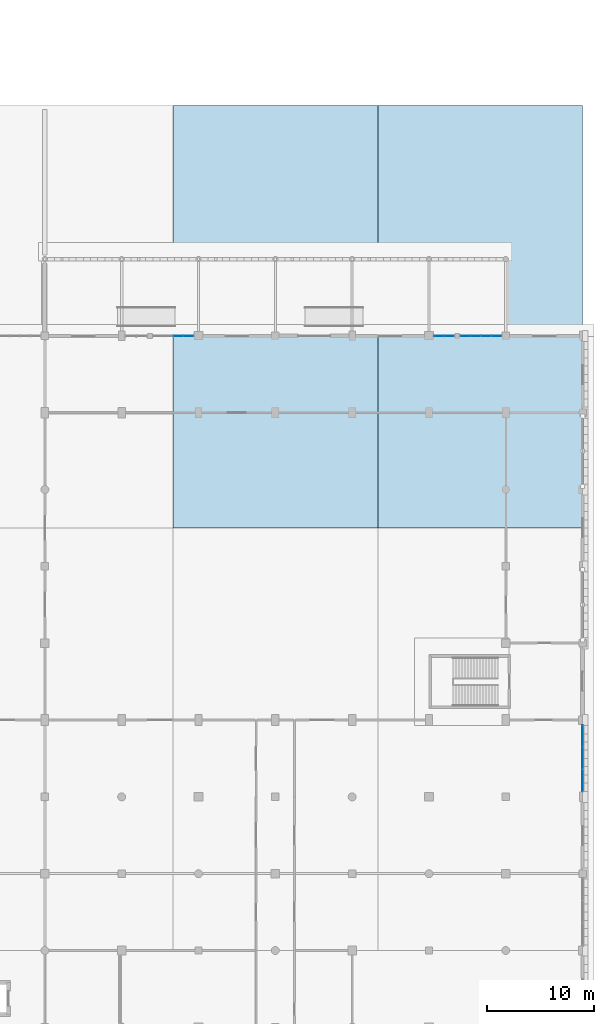
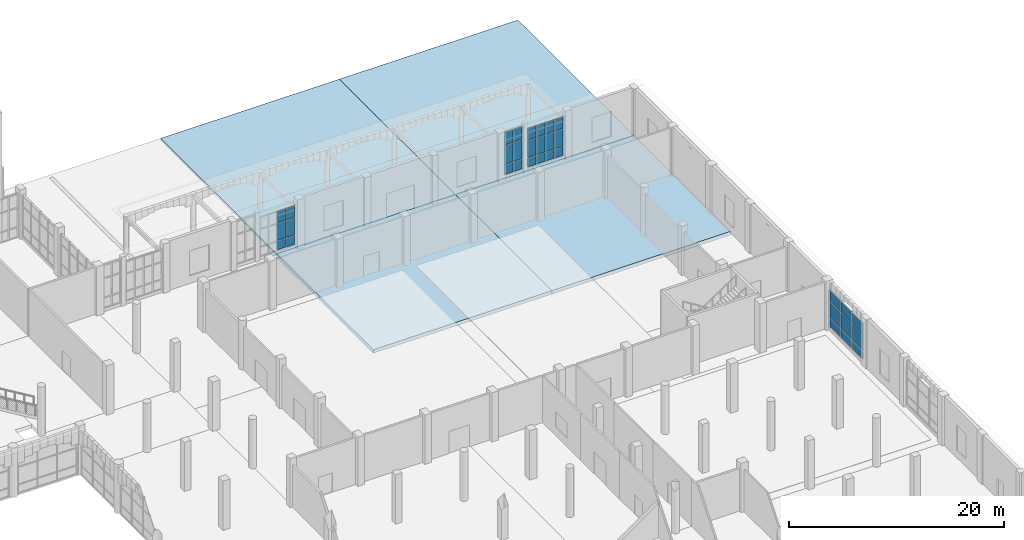
# One storey, part 46 of 85: 33 plates, 4 slabs, 4 elements without a shape of their own.
"""IFC4 building model written with IfcOpenShell, lengths in metres."""

from ifc_helpers import new_model, si_unit, direction, frame, origin, origin_2d, place, context, subcontext, project, spatial, polyline, rectangle, outline, extrude, material, layer, layer_set, type_object, element, aggregate, save


model = new_model("IFC4")

# Units and contexts
model_context = context("Model", 3, precision=1e-05, world=origin(), true_north=direction((0.0, 1.0)))
body_context = subcontext(model_context, "Body", "Model", "MODEL_VIEW")
ifc_project = project(units=[si_unit("LENGTHUNIT", "METRE"), si_unit("AREAUNIT", "SQUARE_METRE"), si_unit("VOLUMEUNIT", "CUBIC_METRE"), si_unit("PLANEANGLEUNIT", "RADIAN"), si_unit("MASSUNIT", "GRAM", prefix="KILO")], contexts=[model_context])

# Site, building, storey
site_placement = place(None, origin())
site = spatial("IfcSite", under=ifc_project, at=site_placement, CompositionType="ELEMENT")
building_placement = place(site_placement, origin())
building = spatial("IfcBuilding", under=site, at=building_placement, Name="Sardonyx Promenade Sports Hall", CompositionType="ELEMENT")
storey_placement = place(building_placement, origin())
storey = spatial("IfcBuildingStorey", under=building, at=storey_placement, Name="L00", CompositionType="ELEMENT", Elevation=0.0)

# Curtain wall, plates
ifc_material_1 = material(Name="Aluminium 6063-T6", Category="aluminium")
curtain_wall_type_1 = type_object("IfcCurtainWallType", Name="CW_EastWing_L00", PredefinedType="USERDEFINED", material=ifc_material_1)
curtain_wall_1_placement = place(storey_placement, origin())
curtain_wall_1 = element("IfcCurtainWall", 1, at=curtain_wall_1_placement, inside=storey, type_object=curtain_wall_type_1, Name="Curtain wall CW07 cw:L00:049", ObjectType="CURTAIN WALL", PredefinedType="USERDEFINED")
ifc_material_2 = material(Name="Double-glazed solar low-E IGU 28 mm", Category="glass")
ifc_layer_1 = layer(ifc_material_2, 0.028076171875)
ifc_layer_set_1 = layer_set([ifc_layer_1], Name="CW_Pan_Glz_28")
plate_type_1 = type_object("IfcPlateType", Name="CW_Pan_Glz_28", PredefinedType="CURTAIN_PANEL", material=ifc_layer_set_1)
plate_1_placement = place(storey_placement, frame((165.60009765625, 48.90673828125, 0.4150390625), z_axis=(0.0, 0.0, 1.0), x_axis=(0.0, -1.0, 0.0)))
plate_1 = element("IfcPlate", 2, at=plate_1_placement, type_object=plate_type_1, Name="Curtain panel CP01 cw:L00:049 #1", PredefinedType="CURTAIN_PANEL", context=body_context, shape_type="SweptSolid", body=[
    extrude(rectangle(XDim=2.0166015625, YDim=0.028076171875, at=origin_2d()), origin(), (0.0, 0.0, 1.0), 0.902587890625),
])
plate_2_placement = place(storey_placement, frame((165.60009765625, 48.90673828125, 1.38232421875), z_axis=(0.0, 0.0, 1.0), x_axis=(0.0, -1.0, 0.0)))
plate_2 = element("IfcPlate", 3, at=plate_2_placement, type_object=plate_type_1, Name="Curtain panel CP01 cw:L00:049 #2", PredefinedType="CURTAIN_PANEL", context=body_context, shape_type="SweptSolid", body=[
    extrude(rectangle(XDim=2.0166015625, YDim=0.028076171875, at=origin_2d()), origin(), (0.0, 0.0, 1.0), 1.885009765625),
])
plate_3_placement = place(storey_placement, frame((165.60009765625, 48.90673828125, 3.33251953125), z_axis=(0.0, 0.0, 1.0), x_axis=(0.0, -1.0, 0.0)))
plate_3 = element("IfcPlate", 4, at=plate_3_placement, type_object=plate_type_1, Name="Curtain panel CP01 cw:L00:049 #3", PredefinedType="CURTAIN_PANEL", context=body_context, shape_type="SweptSolid", body=[
    extrude(rectangle(XDim=2.0166015625, YDim=0.028076171875, at=origin_2d()), origin(), (0.0, 0.0, 1.0), 1.202392578125),
])
plate_4_placement = place(storey_placement, frame((165.60009765625, 46.824951171875, 0.4150390625), z_axis=(0.0, 0.0, 1.0), x_axis=(0.0, -1.0, 0.0)))
plate_4 = element("IfcPlate", 5, at=plate_4_placement, type_object=plate_type_1, Name="Curtain panel CP01 cw:L00:049 #4", PredefinedType="CURTAIN_PANEL", context=body_context, shape_type="SweptSolid", body=[
    extrude(rectangle(XDim=2.0166015625, YDim=0.028076171875, at=origin_2d()), origin(), (0.0, 0.0, 1.0), 0.902587890625),
])
plate_5_placement = place(storey_placement, frame((165.60009765625, 46.824951171875, 1.38232421875), z_axis=(0.0, 0.0, 1.0), x_axis=(0.0, -1.0, 0.0)))
plate_5 = element("IfcPlate", 6, at=plate_5_placement, type_object=plate_type_1, Name="Curtain panel CP01 cw:L00:049 #5", PredefinedType="CURTAIN_PANEL", context=body_context, shape_type="SweptSolid", body=[
    extrude(rectangle(XDim=2.0166015625, YDim=0.028076171875, at=origin_2d()), origin(), (0.0, 0.0, 1.0), 1.885009765625),
])
plate_6_placement = place(storey_placement, frame((165.60009765625, 46.824951171875, 3.33251953125), z_axis=(0.0, 0.0, 1.0), x_axis=(0.0, -1.0, 0.0)))
plate_6 = element("IfcPlate", 7, at=plate_6_placement, type_object=plate_type_1, Name="Curtain panel CP01 cw:L00:049 #6", PredefinedType="CURTAIN_PANEL", context=body_context, shape_type="SweptSolid", body=[
    extrude(rectangle(XDim=2.0166015625, YDim=0.028076171875, at=origin_2d()), origin(), (0.0, 0.0, 1.0), 1.202392578125),
])
plate_7_placement = place(storey_placement, frame((165.60009765625, 44.743408203125, 0.4150390625), z_axis=(0.0, 0.0, 1.0), x_axis=(0.0, -1.0, 0.0)))
plate_7 = element("IfcPlate", 8, at=plate_7_placement, type_object=plate_type_1, Name="Curtain panel CP01 cw:L00:049 #7", PredefinedType="CURTAIN_PANEL", context=body_context, shape_type="SweptSolid", body=[
    extrude(rectangle(XDim=2.0166015625, YDim=0.028076171875, at=origin_2d()), origin(), (0.0, 0.0, 1.0), 0.902587890625),
])
plate_8_placement = place(storey_placement, frame((165.60009765625, 44.743408203125, 1.38232421875), z_axis=(0.0, 0.0, 1.0), x_axis=(0.0, -1.0, 0.0)))
plate_8 = element("IfcPlate", 9, at=plate_8_placement, type_object=plate_type_1, Name="Curtain panel CP01 cw:L00:049 #8", PredefinedType="CURTAIN_PANEL", context=body_context, shape_type="SweptSolid", body=[
    extrude(rectangle(XDim=2.0166015625, YDim=0.028076171875, at=origin_2d()), origin(), (0.0, 0.0, 1.0), 1.885009765625),
])
plate_9_placement = place(storey_placement, frame((165.60009765625, 44.743408203125, 3.33251953125), z_axis=(0.0, 0.0, 1.0), x_axis=(0.0, -1.0, 0.0)))
plate_9 = element("IfcPlate", 10, at=plate_9_placement, type_object=plate_type_1, Name="Curtain panel CP01 cw:L00:049 #9", PredefinedType="CURTAIN_PANEL", context=body_context, shape_type="SweptSolid", body=[
    extrude(rectangle(XDim=2.0166015625, YDim=0.028076171875, at=origin_2d()), origin(), (0.0, 0.0, 1.0), 1.202392578125),
])
aggregate(curtain_wall_1, [plate_1, plate_2, plate_3, plate_4, plate_5, plate_6, plate_7, plate_8, plate_9])

ifc_material_3 = material(Name="Aluminium 6063-T6", Category="aluminium")
curtain_wall_type_2 = type_object("IfcCurtainWallType", Name="CW_Prac_North_L00", PredefinedType="USERDEFINED", material=ifc_material_3)
curtain_wall_2_placement = place(storey_placement, origin())
curtain_wall_2 = element("IfcCurtainWall", 11, at=curtain_wall_2_placement, inside=storey, type_object=curtain_wall_type_2, Name="Curtain wall CW06 cw:L00:100", ObjectType="CURTAIN WALL", PredefinedType="USERDEFINED")
ifc_material_4 = material(Name="Laminated safety sports IGU 36 mm", Category="glass")
ifc_layer_2 = layer(ifc_material_4, 0.035888671875)
ifc_layer_set_2 = layer_set([ifc_layer_2], Name="CW_Pan_Glz_36")
plate_type_2 = type_object("IfcPlateType", Name="CW_Pan_Glz_36", PredefinedType="CURTAIN_PANEL", material=ifc_layer_set_2)
plate_10_placement = place(storey_placement, frame((127.71435546875, 86.39990234375, 0.419921875), z_axis=(0.0, 0.0, 1.0), x_axis=(1.0, 0.0, 0.0)))
plate_10 = element("IfcPlate", 12, at=plate_10_placement, type_object=plate_type_2, Name="Curtain panel CP03 cw:L00:100 #7", PredefinedType="CURTAIN_PANEL", context=body_context, shape_type="SweptSolid", body=[
    extrude(rectangle(XDim=0.8837890625, YDim=0.035888671875, at=origin_2d()), origin(), (0.0, 0.0, 1.0), 0.9951171875),
])
plate_11_placement = place(storey_placement, frame((127.71435546875, 86.39990234375, 1.48486328125), z_axis=(0.0, 0.0, 1.0), x_axis=(1.0, 0.0, 0.0)))
plate_11 = element("IfcPlate", 13, at=plate_11_placement, type_object=plate_type_2, Name="Curtain panel CP03 cw:L00:100 #8", PredefinedType="CURTAIN_PANEL", context=body_context, shape_type="SweptSolid", body=[
    extrude(rectangle(XDim=0.8837890625, YDim=0.035888671875, at=origin_2d()), origin(), (0.0, 0.0, 1.0), 1.929931640625),
])
plate_12_placement = place(storey_placement, frame((127.71435546875, 86.39990234375, 3.485107421875), z_axis=(0.0, 0.0, 1.0), x_axis=(1.0, 0.0, 0.0)))
plate_12 = element("IfcPlate", 14, at=plate_12_placement, type_object=plate_type_2, Name="Curtain panel CP03 cw:L00:100 #9", PredefinedType="CURTAIN_PANEL", context=body_context, shape_type="SweptSolid", body=[
    extrude(rectangle(XDim=0.8837890625, YDim=0.035888671875, at=origin_2d()), origin(), (0.0, 0.0, 1.0), 1.294921875),
])
plate_13_placement = place(storey_placement, frame((128.668212890625, 86.39990234375, 0.419921875), z_axis=(0.0, 0.0, 1.0), x_axis=(1.0, 0.0, 0.0)))
plate_13 = element("IfcPlate", 15, at=plate_13_placement, type_object=plate_type_2, Name="Curtain panel CP03 cw:L00:100 #10", PredefinedType="CURTAIN_PANEL", context=body_context, shape_type="SweptSolid", body=[
    extrude(rectangle(XDim=0.8837890625, YDim=0.035888671875, at=origin_2d()), origin(), (0.0, 0.0, 1.0), 0.9951171875),
])
plate_14_placement = place(storey_placement, frame((128.668212890625, 86.39990234375, 1.48486328125), z_axis=(0.0, 0.0, 1.0), x_axis=(1.0, 0.0, 0.0)))
plate_14 = element("IfcPlate", 16, at=plate_14_placement, type_object=plate_type_2, Name="Curtain panel CP03 cw:L00:100 #11", PredefinedType="CURTAIN_PANEL", context=body_context, shape_type="SweptSolid", body=[
    extrude(rectangle(XDim=0.8837890625, YDim=0.035888671875, at=origin_2d()), origin(), (0.0, 0.0, 1.0), 1.929931640625),
])
plate_15_placement = place(storey_placement, frame((128.668212890625, 86.39990234375, 3.485107421875), z_axis=(0.0, 0.0, 1.0), x_axis=(1.0, 0.0, 0.0)))
plate_15 = element("IfcPlate", 17, at=plate_15_placement, type_object=plate_type_2, Name="Curtain panel CP03 cw:L00:100 #12", PredefinedType="CURTAIN_PANEL", context=body_context, shape_type="SweptSolid", body=[
    extrude(rectangle(XDim=0.8837890625, YDim=0.035888671875, at=origin_2d()), origin(), (0.0, 0.0, 1.0), 1.294921875),
])
aggregate(curtain_wall_2, [plate_10, plate_11, plate_12, plate_13, plate_14, plate_15])

curtain_wall_3_placement = place(storey_placement, origin())
curtain_wall_3 = element("IfcCurtainWall", 18, at=curtain_wall_3_placement, inside=storey, type_object=curtain_wall_type_2, Name="Curtain wall CW06 cw:L00:102", ObjectType="CURTAIN WALL", PredefinedType="USERDEFINED")
plate_16_placement = place(storey_placement, frame((154.613037109375, 86.39990234375, 0.419921875), z_axis=(0.0, 0.0, 1.0), x_axis=(1.0, 0.0, 0.0)))
plate_16 = element("IfcPlate", 19, at=plate_16_placement, type_object=plate_type_2, Name="Curtain panel CP03 cw:L00:102 #1", PredefinedType="CURTAIN_PANEL", context=body_context, shape_type="SweptSolid", body=[
    extrude(rectangle(XDim=0.896240234375, YDim=0.035888671875, at=origin_2d()), origin(), (0.0, 0.0, 1.0), 0.9951171875),
])
plate_17_placement = place(storey_placement, frame((154.613037109375, 86.39990234375, 1.48486328125), z_axis=(0.0, 0.0, 1.0), x_axis=(1.0, 0.0, 0.0)))
plate_17 = element("IfcPlate", 20, at=plate_17_placement, type_object=plate_type_2, Name="Curtain panel CP03 cw:L00:102 #2", PredefinedType="CURTAIN_PANEL", context=body_context, shape_type="SweptSolid", body=[
    extrude(rectangle(XDim=0.896240234375, YDim=0.035888671875, at=origin_2d()), origin(), (0.0, 0.0, 1.0), 1.929931640625),
])
plate_18_placement = place(storey_placement, frame((154.613037109375, 86.39990234375, 3.485107421875), z_axis=(0.0, 0.0, 1.0), x_axis=(1.0, 0.0, 0.0)))
plate_18 = element("IfcPlate", 21, at=plate_18_placement, type_object=plate_type_2, Name="Curtain panel CP03 cw:L00:102 #3", PredefinedType="CURTAIN_PANEL", context=body_context, shape_type="SweptSolid", body=[
    extrude(rectangle(XDim=0.896240234375, YDim=0.035888671875, at=origin_2d()), origin(), (0.0, 0.0, 1.0), 1.294921875),
])
plate_19_placement = place(storey_placement, frame((155.579345703125, 86.39990234375, 0.419921875), z_axis=(0.0, 0.0, 1.0), x_axis=(1.0, 0.0, 0.0)))
plate_19 = element("IfcPlate", 22, at=plate_19_placement, type_object=plate_type_2, Name="Curtain panel CP03 cw:L00:102 #4", PredefinedType="CURTAIN_PANEL", context=body_context, shape_type="SweptSolid", body=[
    extrude(rectangle(XDim=0.896240234375, YDim=0.035888671875, at=origin_2d()), origin(), (0.0, 0.0, 1.0), 0.9951171875),
])
plate_20_placement = place(storey_placement, frame((155.579345703125, 86.39990234375, 1.48486328125), z_axis=(0.0, 0.0, 1.0), x_axis=(1.0, 0.0, 0.0)))
plate_20 = element("IfcPlate", 23, at=plate_20_placement, type_object=plate_type_2, Name="Curtain panel CP03 cw:L00:102 #5", PredefinedType="CURTAIN_PANEL", context=body_context, shape_type="SweptSolid", body=[
    extrude(rectangle(XDim=0.896240234375, YDim=0.035888671875, at=origin_2d()), origin(), (0.0, 0.0, 1.0), 1.929931640625),
])
plate_21_placement = place(storey_placement, frame((155.579345703125, 86.39990234375, 3.485107421875), z_axis=(0.0, 0.0, 1.0), x_axis=(1.0, 0.0, 0.0)))
plate_21 = element("IfcPlate", 24, at=plate_21_placement, type_object=plate_type_2, Name="Curtain panel CP03 cw:L00:102 #6", PredefinedType="CURTAIN_PANEL", context=body_context, shape_type="SweptSolid", body=[
    extrude(rectangle(XDim=0.896240234375, YDim=0.035888671875, at=origin_2d()), origin(), (0.0, 0.0, 1.0), 1.294921875),
])
plate_22_placement = place(storey_placement, frame((156.545654296875, 86.39990234375, 0.419921875), z_axis=(0.0, 0.0, 1.0), x_axis=(1.0, 0.0, 0.0)))
plate_22 = element("IfcPlate", 25, at=plate_22_placement, type_object=plate_type_2, Name="Curtain panel CP03 cw:L00:102 #7", PredefinedType="CURTAIN_PANEL", context=body_context, shape_type="SweptSolid", body=[
    extrude(rectangle(XDim=0.896240234375, YDim=0.035888671875, at=origin_2d()), origin(), (0.0, 0.0, 1.0), 0.9951171875),
])
plate_23_placement = place(storey_placement, frame((156.545654296875, 86.39990234375, 1.48486328125), z_axis=(0.0, 0.0, 1.0), x_axis=(1.0, 0.0, 0.0)))
plate_23 = element("IfcPlate", 26, at=plate_23_placement, type_object=plate_type_2, Name="Curtain panel CP03 cw:L00:102 #8", PredefinedType="CURTAIN_PANEL", context=body_context, shape_type="SweptSolid", body=[
    extrude(rectangle(XDim=0.896240234375, YDim=0.035888671875, at=origin_2d()), origin(), (0.0, 0.0, 1.0), 1.929931640625),
])
plate_24_placement = place(storey_placement, frame((156.545654296875, 86.39990234375, 3.485107421875), z_axis=(0.0, 0.0, 1.0), x_axis=(1.0, 0.0, 0.0)))
plate_24 = element("IfcPlate", 27, at=plate_24_placement, type_object=plate_type_2, Name="Curtain panel CP03 cw:L00:102 #9", PredefinedType="CURTAIN_PANEL", context=body_context, shape_type="SweptSolid", body=[
    extrude(rectangle(XDim=0.896240234375, YDim=0.035888671875, at=origin_2d()), origin(), (0.0, 0.0, 1.0), 1.294921875),
])
plate_25_placement = place(storey_placement, frame((157.511962890625, 86.39990234375, 0.419921875), z_axis=(0.0, 0.0, 1.0), x_axis=(1.0, 0.0, 0.0)))
plate_25 = element("IfcPlate", 28, at=plate_25_placement, type_object=plate_type_2, Name="Curtain panel CP03 cw:L00:102 #10", PredefinedType="CURTAIN_PANEL", context=body_context, shape_type="SweptSolid", body=[
    extrude(rectangle(XDim=0.896240234375, YDim=0.035888671875, at=origin_2d()), origin(), (0.0, 0.0, 1.0), 0.9951171875),
])
plate_26_placement = place(storey_placement, frame((157.511962890625, 86.39990234375, 1.48486328125), z_axis=(0.0, 0.0, 1.0), x_axis=(1.0, 0.0, 0.0)))
plate_26 = element("IfcPlate", 29, at=plate_26_placement, type_object=plate_type_2, Name="Curtain panel CP03 cw:L00:102 #11", PredefinedType="CURTAIN_PANEL", context=body_context, shape_type="SweptSolid", body=[
    extrude(rectangle(XDim=0.896240234375, YDim=0.035888671875, at=origin_2d()), origin(), (0.0, 0.0, 1.0), 1.929931640625),
])
plate_27_placement = place(storey_placement, frame((157.511962890625, 86.39990234375, 3.485107421875), z_axis=(0.0, 0.0, 1.0), x_axis=(1.0, 0.0, 0.0)))
plate_27 = element("IfcPlate", 30, at=plate_27_placement, type_object=plate_type_2, Name="Curtain panel CP03 cw:L00:102 #12", PredefinedType="CURTAIN_PANEL", context=body_context, shape_type="SweptSolid", body=[
    extrude(rectangle(XDim=0.896240234375, YDim=0.035888671875, at=origin_2d()), origin(), (0.0, 0.0, 1.0), 1.294921875),
])
aggregate(curtain_wall_3, [plate_16, plate_17, plate_18, plate_19, plate_20, plate_21, plate_22, plate_23, plate_24, plate_25, plate_26, plate_27])

ifc_material_5 = material(Name="Aluminium 6063-T6", Category="aluminium")
curtain_wall_type_3 = type_object("IfcCurtainWallType", Name="CW_Foyer_Pilaster_L00", PredefinedType="USERDEFINED", material=ifc_material_5)
curtain_wall_4_placement = place(storey_placement, origin())
curtain_wall_4 = element("IfcCurtainWall", 31, at=curtain_wall_4_placement, inside=storey, type_object=curtain_wall_type_3, Name="Curtain wall CW20 cw:L00:101", ObjectType="CURTAIN WALL", PredefinedType="USERDEFINED")
ifc_material_6 = material(Name="Triple-glazed harbour solar IGU 40 mm", Category="glass")
ifc_layer_3 = layer(ifc_material_6, 0.0400390625)
ifc_layer_set_3 = layer_set([ifc_layer_3], Name="CW_Pan_Glz_40")
plate_type_3 = type_object("IfcPlateType", Name="CW_Pan_Glz_40", PredefinedType="CURTAIN_PANEL", material=ifc_layer_set_3)
plate_28_placement = place(storey_placement, frame((152.135009765625, 86.39990234375, 0.425048828125), z_axis=(0.0, 0.0, 1.0), x_axis=(1.0, 0.0, 0.0)))
plate_28 = element("IfcPlate", 32, at=plate_28_placement, type_object=plate_type_3, Name="Curtain panel CP04 cw:L00:101 #1", PredefinedType="CURTAIN_PANEL", context=body_context, shape_type="SweptSolid", body=[
    extrude(rectangle(XDim=0.8798828125, YDim=0.0400390625, at=origin_2d()), origin(), (0.0, 0.0, 1.0), 1.08740234375),
])
plate_29_placement = place(storey_placement, frame((152.135009765625, 86.39990234375, 1.58740234375), z_axis=(0.0, 0.0, 1.0), x_axis=(1.0, 0.0, 0.0)))
plate_29 = element("IfcPlate", 33, at=plate_29_placement, type_object=plate_type_3, Name="Curtain panel CP04 cw:L00:101 #2", PredefinedType="CURTAIN_PANEL", context=body_context, shape_type="SweptSolid", body=[
    extrude(rectangle(XDim=0.8798828125, YDim=0.0400390625, at=origin_2d()), origin(), (0.0, 0.0, 1.0), 2.125),
])
plate_30_placement = place(storey_placement, frame((152.135009765625, 86.39990234375, 3.78759765625), z_axis=(0.0, 0.0, 1.0), x_axis=(1.0, 0.0, 0.0)))
plate_30 = element("IfcPlate", 34, at=plate_30_placement, type_object=plate_type_3, Name="Curtain panel CP04 cw:L00:101 #3", PredefinedType="CURTAIN_PANEL", context=body_context, shape_type="SweptSolid", body=[
    extrude(rectangle(XDim=0.8798828125, YDim=0.0400390625, at=origin_2d()), origin(), (0.0, 0.0, 1.0), 1.4375),
])
plate_31_placement = place(storey_placement, frame((153.090087890625, 86.39990234375, 0.425048828125), z_axis=(0.0, 0.0, 1.0), x_axis=(1.0, 0.0, 0.0)))
plate_31 = element("IfcPlate", 35, at=plate_31_placement, type_object=plate_type_3, Name="Curtain panel CP04 cw:L00:101 #4", PredefinedType="CURTAIN_PANEL", context=body_context, shape_type="SweptSolid", body=[
    extrude(rectangle(XDim=0.8798828125, YDim=0.0400390625, at=origin_2d()), origin(), (0.0, 0.0, 1.0), 1.08740234375),
])
plate_32_placement = place(storey_placement, frame((153.090087890625, 86.39990234375, 1.58740234375), z_axis=(0.0, 0.0, 1.0), x_axis=(1.0, 0.0, 0.0)))
plate_32 = element("IfcPlate", 36, at=plate_32_placement, type_object=plate_type_3, Name="Curtain panel CP04 cw:L00:101 #5", PredefinedType="CURTAIN_PANEL", context=body_context, shape_type="SweptSolid", body=[
    extrude(rectangle(XDim=0.8798828125, YDim=0.0400390625, at=origin_2d()), origin(), (0.0, 0.0, 1.0), 2.125),
])
plate_33_placement = place(storey_placement, frame((153.090087890625, 86.39990234375, 3.78759765625), z_axis=(0.0, 0.0, 1.0), x_axis=(1.0, 0.0, 0.0)))
plate_33 = element("IfcPlate", 37, at=plate_33_placement, type_object=plate_type_3, Name="Curtain panel CP04 cw:L00:101 #6", PredefinedType="CURTAIN_PANEL", context=body_context, shape_type="SweptSolid", body=[
    extrude(rectangle(XDim=0.8798828125, YDim=0.0400390625, at=origin_2d()), origin(), (0.0, 0.0, 1.0), 1.4375),
])
aggregate(curtain_wall_4, [plate_28, plate_29, plate_30, plate_31, plate_32, plate_33])

# Slabs
ifc_material_7 = material(Name="Concrete C40/50", Category="concrete")
ifc_layer_4 = layer(ifc_material_7, 0.409912109375)
ifc_layer_set_4 = layer_set([ifc_layer_4], Name="Slab_Base_Court_300")
slab_type_1 = type_object("IfcSlabType", Name="Slab_Base_Court_300", PredefinedType="BASESLAB", material=ifc_layer_set_4)
slab_1_placement = place(storey_placement, frame((0.0, 0.0, -0.409912109375)))
element("IfcSlab", 38, at=slab_1_placement, inside=storey, type_object=slab_type_1, Name="Slab BS03 L00 #44", PredefinedType="BASESLAB", context=body_context, shape_type="SweptSolid", body=[
    extrude(outline(polyline([(127.199951171875, 68.39990234375), (146.39990234375, 68.39990234375), (146.39990234375, 86.39990234375), (127.199951171875, 86.39990234375), (127.199951171875, 68.39990234375)])), origin(), (0.0, 0.0, 1.0), 0.409912109375),
])
slab_2_placement = place(storey_placement, frame((0.0, 0.0, -0.409912109375)))
element("IfcSlab", 39, at=slab_2_placement, inside=storey, type_object=slab_type_1, Name="Slab BS03 L00 #46", PredefinedType="BASESLAB", context=body_context, shape_type="SweptSolid", body=[
    extrude(outline(polyline([(146.39990234375, 68.39990234375), (165.60009765625, 68.39990234375), (165.60009765625, 86.39990234375), (146.39990234375, 86.39990234375), (146.39990234375, 68.39990234375)])), origin(), (0.0, 0.0, 1.0), 0.409912109375),
])
ifc_material_8 = material(Name="Concrete C40/50", Category="concrete")
ifc_layer_5 = layer(ifc_material_8, 0.25)
ifc_layer_set_5 = layer_set([ifc_layer_5], Name="Slab_Ext_Apron_180")
slab_type_2 = type_object("IfcSlabType", Name="Slab_Ext_Apron_180", PredefinedType="FLOOR", material=ifc_layer_set_5)
slab_3_placement = place(storey_placement, frame((0.0, 0.0, -0.25)))
element("IfcSlab", 40, at=slab_3_placement, inside=storey, type_object=slab_type_2, Name="Slab TS01 L00 #89", PredefinedType="FLOOR", context=body_context, shape_type="SweptSolid", body=[
    extrude(outline(polyline([(127.199951171875, 86.39990234375), (146.39990234375, 86.39990234375), (146.39990234375, 108.0), (127.199951171875, 108.0), (127.199951171875, 86.39990234375)])), origin(), (0.0, 0.0, 1.0), 0.25),
])
slab_4_placement = place(storey_placement, frame((0.0, 0.0, -0.25)))
element("IfcSlab", 41, at=slab_4_placement, inside=storey, type_object=slab_type_2, Name="Slab TS01 L00 #90", PredefinedType="FLOOR", context=body_context, shape_type="SweptSolid", body=[
    extrude(outline(polyline([(146.39990234375, 86.39990234375), (165.60009765625, 86.39990234375), (165.60009765625, 108.0), (146.39990234375, 108.0), (146.39990234375, 86.39990234375)])), origin(), (0.0, 0.0, 1.0), 0.25),
])

save(model, "model.ifc")
